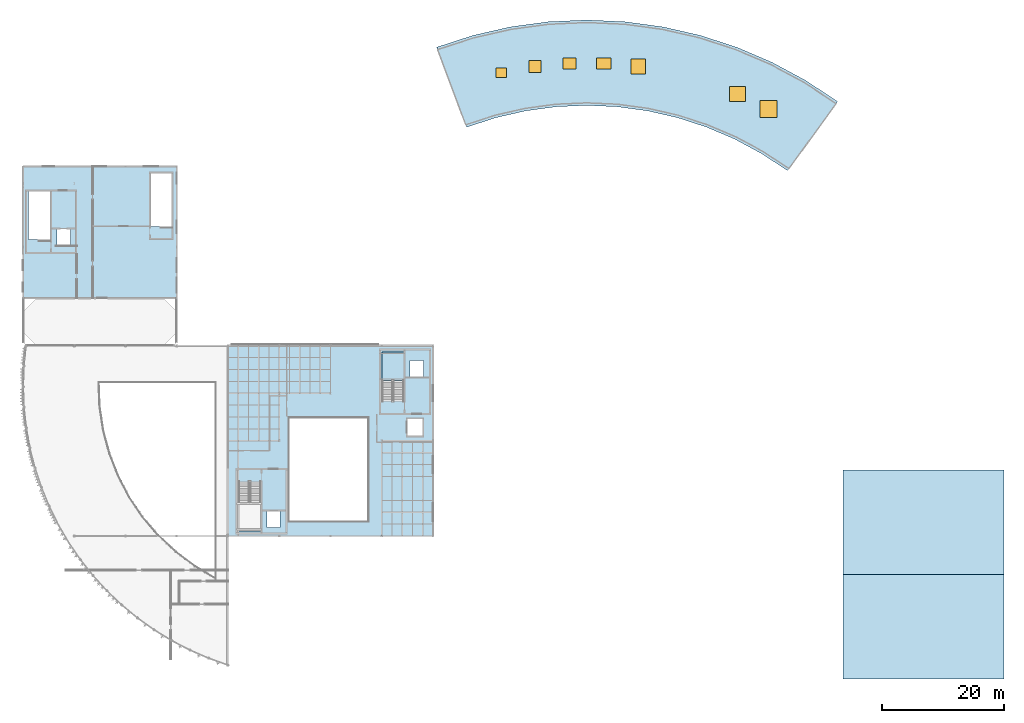
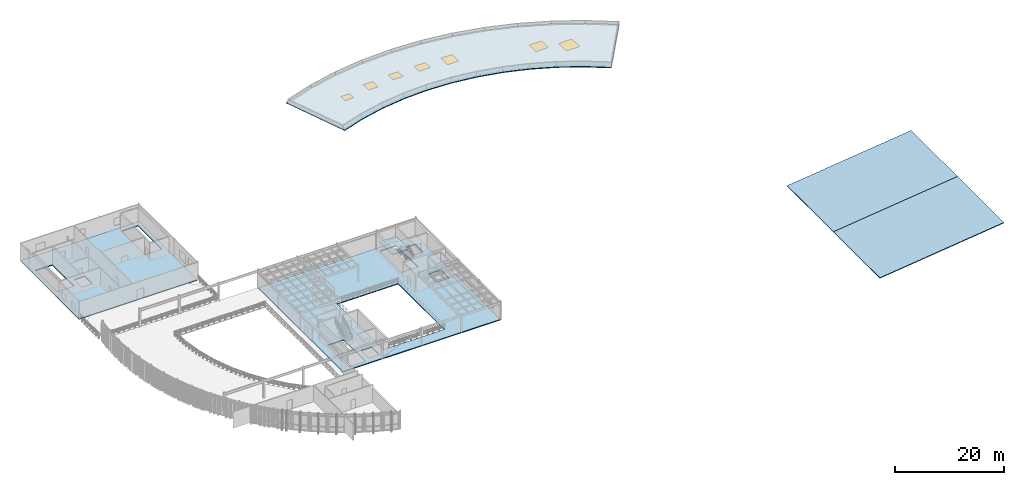
# One storey, part 19 of 32: 7 windows, 6 slabs, 7 openings, 1 element without a shape of its own.
"""IFC4 building model written with IfcOpenShell, lengths in metres."""

from ifc_helpers import new_model, si_unit, direction, frame, origin, origin_2d, place, context, subcontext, project, spatial, polyline, rectangle, outline, extrude, material, layer, layer_set, type_object, element, fill, aggregate, save


model = new_model("IFC4")

# Units and contexts
model_context = context("Model", 3, precision=1e-05, world=origin(), true_north=direction((0.0, 1.0)))
body_context = subcontext(model_context, "Body", "Model", "MODEL_VIEW")
ifc_project = project(units=[si_unit("LENGTHUNIT", "METRE"), si_unit("AREAUNIT", "SQUARE_METRE"), si_unit("VOLUMEUNIT", "CUBIC_METRE"), si_unit("PLANEANGLEUNIT", "RADIAN"), si_unit("MASSUNIT", "GRAM", prefix="KILO")], contexts=[model_context])

# Site, building, storey
site_placement = place(None, origin())
site = spatial("IfcSite", under=ifc_project, at=site_placement, CompositionType="ELEMENT")
building_placement = place(site_placement, origin())
building = spatial("IfcBuilding", under=site, at=building_placement, Name="Selat Folded Stagehouse", CompositionType="ELEMENT")
storey_placement = place(building_placement, frame((0.0, 0.0, 19.199951171875)))
storey = spatial("IfcBuildingStorey", under=building, at=storey_placement, Name="L04", CompositionType="ELEMENT", Elevation=19.199951171875)

# Slabs
ifc_material_1 = material(Name="Concrete C40/50", Category="concrete")
ifc_layer_1 = layer(ifc_material_1, 0.199951171875)
ifc_layer_set_1 = layer_set([ifc_layer_1], Name="Concrete C40/50")
slab_type_1 = type_object("IfcSlabType", Name="SLAB-FLR-200", PredefinedType="FLOOR", material=ifc_layer_set_1)
slab_1_placement = place(storey_placement, frame((0.0, 0.0, -0.199951171875)))
element("IfcSlab", 1, at=slab_1_placement, inside=storey, type_object=slab_type_1, Name="L04 V2 floor slab SL-L04-V2", PredefinedType="FLOOR", context=body_context, shape_type="SweptSolid", body=[
    extrude(outline(polyline([(33.60009765625, 23.39990234375), (67.199951171875, 23.39990234375), (67.199951171875, 54.60009765625), (33.60009765625, 54.60009765625), (33.60009765625, 23.39990234375)]), holes=[polyline([(39.949951171875, 24.800048828125), (39.949951171875, 27.60009765625), (42.14990234375, 27.60009765625), (42.14990234375, 24.800048828125), (39.949951171875, 24.800048828125)]), polyline([(35.360107421875, 32.179931640625), (38.919921875, 32.179931640625), (38.919921875, 24.239990234375), (35.360107421875, 24.239990234375), (35.360107421875, 32.179931640625)]), polyline([(43.60009765625, 25.800048828125), (43.60009765625, 42.800048828125), (56.60009765625, 42.800048828125), (56.60009765625, 25.800048828125), (43.60009765625, 25.800048828125)]), polyline([(62.89990234375, 39.699951171875), (62.89990234375, 42.699951171875), (65.60009765625, 42.699951171875), (65.60009765625, 39.699951171875), (62.89990234375, 39.699951171875)]), polyline([(58.860107421875, 53.56005859375), (62.419921875, 53.56005859375), (62.419921875, 45.6201171875), (58.860107421875, 45.6201171875), (58.860107421875, 53.56005859375)]), polyline([(63.449951171875, 52.199951171875), (65.64990234375, 52.199951171875), (65.64990234375, 49.39990234375), (63.449951171875, 49.39990234375), (63.449951171875, 52.199951171875)])]), origin(), (0.0, 0.0, 1.0), 0.199951171875),
])
ifc_layer_2 = layer(ifc_material_1, 0.219970703125)
ifc_layer_set_2 = layer_set([ifc_layer_2], Name="Concrete C40/50")
slab_type_2 = type_object("IfcSlabType", Name="SLAB-FLR-220", PredefinedType="FLOOR", material=ifc_layer_set_2)
slab_2_placement = place(storey_placement, frame((0.0, 0.0, -0.219970703125)))
element("IfcSlab", 2, at=slab_2_placement, inside=storey, type_object=slab_type_2, Name="L04 V4 floor slab SL-L04-V4", PredefinedType="FLOOR", context=body_context, shape_type="SweptSolid", body=[
    extrude(outline(polyline([(0.0, 62.39990234375), (25.199951171875, 62.39990234375), (25.199951171875, 84.0), (0.0, 84.0), (0.0, 62.39990234375)]), holes=[polyline([(7.75, 71.0), (5.550048828125, 71.0), (5.550048828125, 73.800048828125), (7.75, 73.800048828125), (7.75, 71.0)]), polyline([(0.85009765625, 72.0), (0.85009765625, 79.919921875), (4.449951171875, 79.919921875), (4.449951171875, 72.0), (0.85009765625, 72.0)]), polyline([(20.89990234375, 74.139892578125), (20.89990234375, 82.949951171875), (24.419921875, 82.949951171875), (24.419921875, 74.139892578125), (20.89990234375, 74.139892578125)])]), origin(), (0.0, 0.0, 1.0), 0.219970703125),
])

# Slab, openings, windows
ifc_layer_3 = layer(ifc_material_1, 0.181884765625)
ifc_layer_set_3 = layer_set([ifc_layer_3], Name="Concrete C40/50")
slab_type_3 = type_object("IfcSlabType", Name="SLAB-ROOF-180", PredefinedType="ROOF", material=ifc_layer_set_3)
slab_3_placement = place(storey_placement, frame((0.0, 0.0, -0.181884765625)))
slab_3 = element("IfcSlab", 3, at=slab_3_placement, inside=storey, type_object=slab_type_3, Name="L04 V6 roof slab RF-L04-V6-FLAT", PredefinedType="ROOF", context=body_context, shape_type="SweptSolid", body=[
    extrude(outline(polyline([(72.722900390625, 90.42919921875), (77.501953125, 91.98193359375), (82.40087890625, 93.10009765625), (87.380126953125, 93.774658203125), (92.39990234375, 94.0), (97.419921875, 93.774658203125), (102.399169921875, 93.10009765625), (107.298095703125, 91.98193359375), (112.076904296875, 90.42919921875), (116.697509765625, 88.454345703125), (121.122314453125, 86.072998046875), (125.31591796875, 83.304931640625), (133.544921875, 94.631103515625), (128.302978515625, 98.09130859375), (122.77197265625, 101.06787109375), (116.99609375, 103.536376953125), (111.022705078125, 105.477294921875), (104.89892578125, 106.875), (98.6748046875, 107.71826171875), (92.39990234375, 108.0), (86.125244140625, 107.71826171875), (79.90087890625, 106.875), (73.77734375, 105.477294921875), (67.8037109375, 103.536376953125), (72.722900390625, 90.42919921875)])), origin(), (0.0, 0.0, 1.0), 0.181884765625),
])
opening_1_placement = place(slab_3_placement, frame((78.39501953125, 99.35888671875, -0.010009765625)))
opening_1 = element("IfcOpeningElement", 4, at=opening_1_placement, cuts=slab_3, Name="Opening SK-07", PredefinedType="OPENING", context=body_context, shape_type="SweptSolid", body=[
    extrude(rectangle(XDim=1.800048828125, YDim=1.5, at=origin_2d()), origin(), (0.0, 0.0, 1.0), 0.201904296875),
])
opening_2_placement = place(slab_3_placement, frame((83.951904296875, 100.366943359375, -0.010009765625)))
opening_2 = element("IfcOpeningElement", 5, at=opening_2_placement, cuts=slab_3, Name="Opening SK-06", PredefinedType="OPENING", context=body_context, shape_type="SweptSolid", body=[
    extrude(rectangle(XDim=2.0, YDim=2.0, at=origin_2d()), origin(), (0.0, 0.0, 1.0), 0.201904296875),
])
opening_3_placement = place(slab_3_placement, frame((89.575927734375, 100.873046875, -0.010009765625)))
opening_3 = element("IfcOpeningElement", 6, at=opening_3_placement, cuts=slab_3, Name="Opening SK-05", PredefinedType="OPENING", context=body_context, shape_type="SweptSolid", body=[
    extrude(rectangle(XDim=2.10009765625, YDim=1.800048828125, at=origin_2d()), origin(), (0.0, 0.0, 1.0), 0.201904296875),
])
opening_4_placement = place(slab_3_placement, frame((95.22412109375, 100.873046875, -0.010009765625)))
opening_4 = element("IfcOpeningElement", 7, at=opening_4_placement, cuts=slab_3, Name="Opening SK-04", PredefinedType="OPENING", context=body_context, shape_type="SweptSolid", body=[
    extrude(rectangle(XDim=2.39990234375, YDim=1.800048828125, at=origin_2d()), origin(), (0.0, 0.0, 1.0), 0.201904296875),
])
opening_5_placement = place(slab_3_placement, frame((100.847900390625, 100.366943359375, -0.010009765625)))
opening_5 = element("IfcOpeningElement", 8, at=opening_5_placement, cuts=slab_3, Name="Opening SK-03", PredefinedType="OPENING", context=body_context, shape_type="SweptSolid", body=[
    extrude(rectangle(XDim=2.39990234375, YDim=2.39990234375, at=origin_2d()), origin(), (0.0, 0.0, 1.0), 0.201904296875),
])
opening_6_placement = place(slab_3_placement, frame((117.135986328125, 95.8720703125, -0.010009765625)))
opening_6 = element("IfcOpeningElement", 9, at=opening_6_placement, cuts=slab_3, Name="Opening SK-02", PredefinedType="OPENING", context=body_context, shape_type="SweptSolid", body=[
    extrude(rectangle(XDim=2.60009765625, YDim=2.39990234375, at=origin_2d()), origin(), (0.0, 0.0, 1.0), 0.201904296875),
])
opening_7_placement = place(slab_3_placement, frame((122.22412109375, 93.422119140625, -0.010009765625)))
opening_7 = element("IfcOpeningElement", 10, at=opening_7_placement, cuts=slab_3, Name="Opening SK-01", PredefinedType="OPENING", context=body_context, shape_type="SweptSolid", body=[
    extrude(rectangle(XDim=2.800048828125, YDim=2.800048828125, at=origin_2d()), origin(), (0.0, 0.0, 1.0), 0.201904296875),
])
ifc_material_2 = material(Name="Laminated solar-control skylight glazing", Category="glass")
window_type_1 = type_object("IfcWindowType", Name="SKY-RF-1800x1500", PartitioningType="SINGLE_PANEL", PredefinedType="SKYLIGHT", material=ifc_material_2)
window_1_placement = place(slab_3_placement, frame((78.39501953125, 99.35888671875, 0.121826171875)))
window_1 = element("IfcWindow", 11, at=window_1_placement, inside=storey, type_object=window_type_1, Name="Rehearsal curved roof skylight 01", OverallHeight=1.5, OverallWidth=1.800048828125, PartitioningType="SINGLE_PANEL", PredefinedType="SKYLIGHT", context=body_context, shape_type="SweptSolid", body=[
    extrude(rectangle(XDim=1.800048828125, YDim=1.5, at=origin_2d()), origin(), (0.0, 0.0, 1.0), 0.06005859375),
])
fill(opening_1, window_1)
window_type_2 = type_object("IfcWindowType", Name="SKY-RF-2000x2000", PartitioningType="SINGLE_PANEL", PredefinedType="SKYLIGHT", material=ifc_material_2)
window_2_placement = place(slab_3_placement, frame((83.951904296875, 100.366943359375, 0.121826171875)))
window_2 = element("IfcWindow", 12, at=window_2_placement, inside=storey, type_object=window_type_2, Name="Rehearsal curved roof skylight 02", OverallHeight=2.0, OverallWidth=2.0, PartitioningType="SINGLE_PANEL", PredefinedType="SKYLIGHT", context=body_context, shape_type="SweptSolid", body=[
    extrude(rectangle(XDim=2.0, YDim=2.0, at=origin_2d()), origin(), (0.0, 0.0, 1.0), 0.06005859375),
])
fill(opening_2, window_2)
window_type_3 = type_object("IfcWindowType", Name="SKY-RF-2100x1800", PartitioningType="SINGLE_PANEL", PredefinedType="SKYLIGHT", material=ifc_material_2)
window_3_placement = place(slab_3_placement, frame((89.575927734375, 100.873046875, 0.121826171875)))
window_3 = element("IfcWindow", 13, at=window_3_placement, inside=storey, type_object=window_type_3, Name="Rehearsal curved roof skylight 03", OverallHeight=1.800048828125, OverallWidth=2.10009765625, PartitioningType="SINGLE_PANEL", PredefinedType="SKYLIGHT", context=body_context, shape_type="SweptSolid", body=[
    extrude(rectangle(XDim=2.10009765625, YDim=1.800048828125, at=origin_2d()), origin(), (0.0, 0.0, 1.0), 0.06005859375),
])
fill(opening_3, window_3)
window_type_4 = type_object("IfcWindowType", Name="SKY-RF-2400x1800", PartitioningType="SINGLE_PANEL", PredefinedType="SKYLIGHT", material=ifc_material_2)
window_4_placement = place(slab_3_placement, frame((95.22412109375, 100.873046875, 0.121826171875)))
window_4 = element("IfcWindow", 14, at=window_4_placement, inside=storey, type_object=window_type_4, Name="Rehearsal curved roof skylight 04", OverallHeight=1.800048828125, OverallWidth=2.39990234375, PartitioningType="SINGLE_PANEL", PredefinedType="SKYLIGHT", context=body_context, shape_type="SweptSolid", body=[
    extrude(rectangle(XDim=2.39990234375, YDim=1.800048828125, at=origin_2d()), origin(), (0.0, 0.0, 1.0), 0.06005859375),
])
fill(opening_4, window_4)
window_type_5 = type_object("IfcWindowType", Name="SKY-RF-2400x2400", PartitioningType="SINGLE_PANEL", PredefinedType="SKYLIGHT", material=ifc_material_2)
window_5_placement = place(slab_3_placement, frame((100.847900390625, 100.366943359375, 0.121826171875)))
window_5 = element("IfcWindow", 15, at=window_5_placement, inside=storey, type_object=window_type_5, Name="Rehearsal curved roof skylight 05", OverallHeight=2.39990234375, OverallWidth=2.39990234375, PartitioningType="SINGLE_PANEL", PredefinedType="SKYLIGHT", context=body_context, shape_type="SweptSolid", body=[
    extrude(rectangle(XDim=2.39990234375, YDim=2.39990234375, at=origin_2d()), origin(), (0.0, 0.0, 1.0), 0.06005859375),
])
fill(opening_5, window_5)
window_type_6 = type_object("IfcWindowType", Name="SKY-RF-2600x2400", PartitioningType="SINGLE_PANEL", PredefinedType="SKYLIGHT", material=ifc_material_2)
window_6_placement = place(slab_3_placement, frame((117.135986328125, 95.8720703125, 0.121826171875)))
window_6 = element("IfcWindow", 16, at=window_6_placement, inside=storey, type_object=window_type_6, Name="Rehearsal curved roof skylight 06", OverallHeight=2.39990234375, OverallWidth=2.60009765625, PartitioningType="SINGLE_PANEL", PredefinedType="SKYLIGHT", context=body_context, shape_type="SweptSolid", body=[
    extrude(rectangle(XDim=2.60009765625, YDim=2.39990234375, at=origin_2d()), origin(), (0.0, 0.0, 1.0), 0.06005859375),
])
fill(opening_6, window_6)
window_type_7 = type_object("IfcWindowType", Name="SKY-RF-2800x2800", PartitioningType="SINGLE_PANEL", PredefinedType="SKYLIGHT", material=ifc_material_2)
window_7_placement = place(slab_3_placement, frame((122.22412109375, 93.422119140625, 0.121826171875)))
window_7 = element("IfcWindow", 17, at=window_7_placement, inside=storey, type_object=window_type_7, Name="Rehearsal curved roof skylight 07", OverallHeight=2.800048828125, OverallWidth=2.800048828125, PartitioningType="SINGLE_PANEL", PredefinedType="SKYLIGHT", context=body_context, shape_type="SweptSolid", body=[
    extrude(rectangle(XDim=2.800048828125, YDim=2.800048828125, at=origin_2d()), origin(), (0.0, 0.0, 1.0), 0.06005859375),
])
fill(opening_7, window_7)

# Slabs
ifc_layer_4 = layer(ifc_material_1, 0.159912109375)
ifc_layer_set_4 = layer_set([ifc_layer_4], Name="Concrete C40/50")
slab_type_4 = type_object("IfcSlabType", Name="SLAB-ROOF-ST160", PredefinedType="ROOF", material=ifc_layer_set_4)
slab_4_placement = place(storey_placement, frame((134.39990234375, 0.0, 0.0), z_axis=(-0.120328899998, 0.0, 0.992734081124), x_axis=(0.992734081124, 0.0, 0.120328899998)))
element("IfcSlab", 18, at=slab_4_placement, inside=storey, type_object=slab_type_4, Name="Sloped folded-plate roof facet RF-V3-F1", PredefinedType="ROOF", context=body_context, shape_type="SweptSolid", body=[
    extrude(outline(polyline([(0.0, 0.0), (26.593371766266156, 0.0), (26.593371766266156, 17.100097656250004), (0.0, 17.100097656250004), (0.0, 0.0)])), origin(), (0.0, 0.0, -1.0), 0.159912109375),
])
slab_5_placement = place(storey_placement, frame((134.39990234375, 17.10009765625, 0.0), z_axis=(-0.120328899998, 0.0, 0.992734081124), x_axis=(0.992734081124, 0.0, 0.120328899998)))
element("IfcSlab", 19, at=slab_5_placement, inside=storey, type_object=slab_type_4, Name="Sloped folded-plate roof facet RF-V3-F2", PredefinedType="ROOF", context=body_context, shape_type="SweptSolid", body=[
    extrude(outline(polyline([(0.0, 0.0), (26.593371766266156, 0.0), (26.593371766266156, 17.099853515625), (0.0, 17.099853515625), (0.0, 0.0)])), origin(), (0.0, 0.0, -1.0), 0.159912109375),
])

# Stair, slab
stair_type = type_object("IfcStairType", Name="STR-DOG-1700-26R", PredefinedType="HALF_TURN_STAIR", material=ifc_material_1)
stair_placement = place(storey_placement, origin())
stair = element("IfcStair", 20, at=stair_placement, inside=storey, type_object=stair_type, Name="L04 Core 2 North-East Stage Fire Core", PredefinedType="HALF_TURN_STAIR")
ifc_layer_5 = layer(ifc_material_1, 0.199951171875)
ifc_layer_set_5 = layer_set([ifc_layer_5], Name="Concrete C40/50")
slab_type_5 = type_object("IfcSlabType", Name="SLAB-STR-LDG-200", PredefinedType="LANDING", material=ifc_layer_set_5)
slab_6_placement = place(storey_placement, frame((0.0, 0.0, 1.900146484375)))
slab_6 = element("IfcSlab", 21, at=slab_6_placement, type_object=slab_type_5, Name="ST-1700-26R landing 1", PredefinedType="LANDING", context=body_context, shape_type="SweptSolid", body=[
    extrude(outline(polyline([(62.419921875, 48.8798828125), (62.419921875, 53.56005859375), (58.860107421875, 53.56005859375), (58.860107421875, 48.8798828125), (62.419921875, 48.8798828125)])), origin(), (0.0, 0.0, 1.0), 0.199951171875),
])
aggregate(stair, [slab_6])

save(model, "model.ifc")
